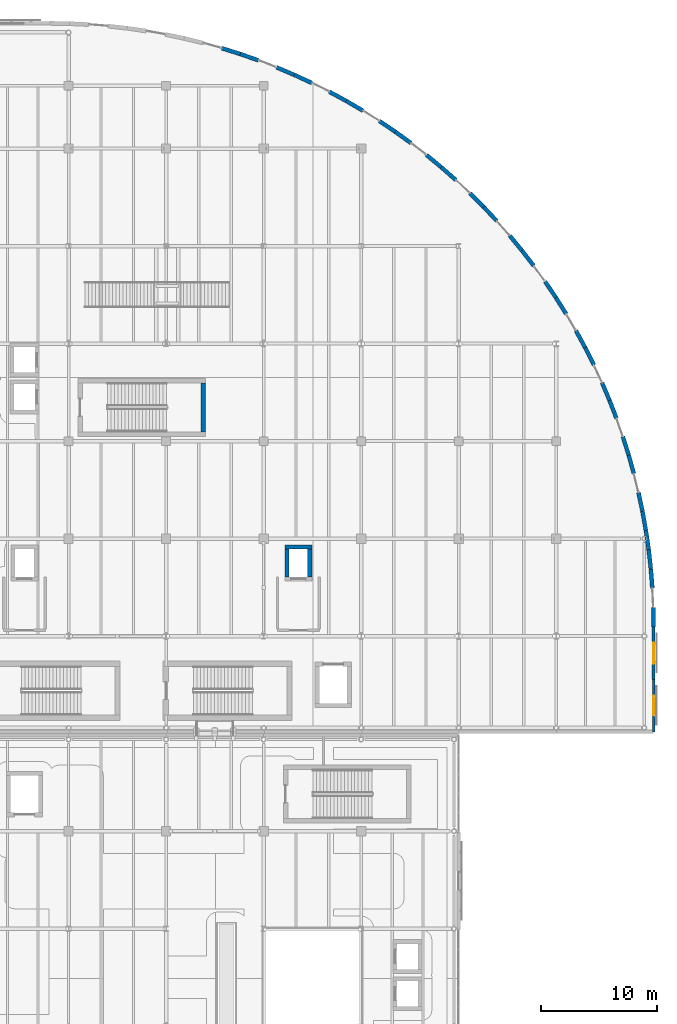
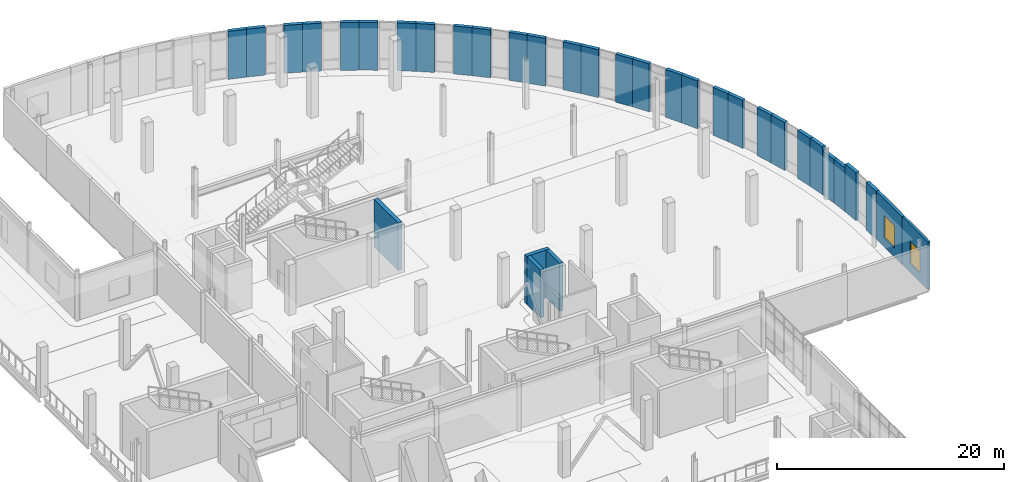
# One storey, part 72 of 110: 34 walls, 2 windows, 2 openings.
"""IFC4 building model written with IfcOpenShell, lengths in metres."""

import ifcopenshell
import ifcopenshell.guid

model = None  # the IFC model being written
_history = None  # IfcOwnerHistory: only IFC2X3 demands one
_inside = {}  # id of a spatial element -> (the spatial element, [elements in it])
_under = {}  # id of a project, library or spatial element -> (it, [spatial elements below it])
_declared = {}  # id of a project -> (the project, [libraries it declares])
_typed = {}  # id of a type object -> (the type object, [elements of that type])
_made_of = {}  # id of a material, layer set ... -> (it, [elements and type objects made of it])


def new_model(schema):
    """Start an empty IFC model of exactly this schema.

    Asked for "IFC4X3", IfcOpenShell would pick the latest addendum, in which some entities
    have other attributes; the version numbers below select the first issue.
    IFC2X3 requires an IfcOwnerHistory on every rooted entity: one is made here for all.
    """
    global model, _history
    if schema == "IFC4X3":
        model = ifcopenshell.file(schema_version=(4, 3, 0, 0))
    else:
        model = ifcopenshell.file(schema=schema)
    _inside.clear()
    _under.clear()
    _declared.clear()
    _typed.clear()
    _made_of.clear()
    _history = None
    if model.schema == "IFC2X3":
        org = make("IfcOrganization", Name="unknown")
        user = make(
            "IfcPersonAndOrganization",
            ThePerson=make("IfcPerson", FamilyName="unknown"),
            TheOrganization=org,
        )
        app = make(
            "IfcApplication",
            ApplicationDeveloper=org,
            Version="unknown",
            ApplicationFullName="unknown",
            ApplicationIdentifier="unknown",
        )
        _history = make(
            "IfcOwnerHistory",
            OwningUser=user,
            OwningApplication=app,
            ChangeAction="ADDED",
            CreationDate=0,
        )
    return model


def make(cls, **values):
    """One entity of the class cls with the attributes given. An attribute that is None is left unset."""
    return model.create_entity(
        cls, **{name: value for name, value in values.items() if value is not None}
    )


def rooted(cls, **values):
    """An entity with a GlobalId (a new one), such as an element, a storey or a relation."""
    return make(cls, GlobalId=ifcopenshell.guid.new(), OwnerHistory=_history, **values)


def si_unit(unit_type, name, prefix=None):
    """IfcSIUnit, for example si_unit("LENGTHUNIT", "METRE", prefix="MILLI")."""
    return make("IfcSIUnit", UnitType=unit_type, Prefix=prefix, Name=name)


def assignment(units):
    """IfcUnitAssignment: the units of a project."""
    return None if units is None else make("IfcUnitAssignment", Units=units)


def point(xyz):
    """IfcCartesianPoint."""
    return None if xyz is None else make("IfcCartesianPoint", Coordinates=xyz)


def direction(xyz):
    """IfcDirection."""
    return None if xyz is None else make("IfcDirection", DirectionRatios=xyz)


def frame(location, z_axis=None, x_axis=None):
    """IfcAxis2Placement3D, a coordinate frame: its origin and axes. An axis left out is left unset."""
    return make(
        "IfcAxis2Placement3D",
        Location=point(location),
        Axis=direction(z_axis),
        RefDirection=direction(x_axis),
    )


def frame_2d(location, x_axis=None):
    """IfcAxis2Placement2D, a coordinate frame in the plane: its origin and x axis."""
    return make(
        "IfcAxis2Placement2D", Location=point(location), RefDirection=direction(x_axis)
    )


def origin():
    """The frame at (0, 0, 0) with its axes left unset."""
    return frame((0.0, 0.0, 0.0))


def place(relative_to, where):
    """IfcLocalPlacement: puts the frame where relative to a parent placement (None: the world)."""
    return make(
        "IfcLocalPlacement", PlacementRelTo=relative_to, RelativePlacement=where
    )


def context(
    kind, dimensions, precision=None, world=None, true_north=None, identifier=None
):
    """IfcGeometricRepresentationContext, for example the 3D "Model" context."""
    return make(
        "IfcGeometricRepresentationContext",
        ContextIdentifier=identifier,
        ContextType=kind,
        CoordinateSpaceDimension=dimensions,
        Precision=precision,
        WorldCoordinateSystem=world,
        TrueNorth=true_north,
    )


def subcontext(parent, identifier, kind, view, scale=None):
    """IfcGeometricRepresentationSubContext, for example "Body" below "Model"."""
    return make(
        "IfcGeometricRepresentationSubContext",
        ContextIdentifier=identifier,
        ContextType=kind,
        ParentContext=parent,
        TargetScale=scale,
        TargetView=view,
    )


def project(units=None, contexts=None):
    """IfcProject with its units and contexts."""
    return rooted(
        "IfcProject",
        Name="project",
        RepresentationContexts=contexts,
        UnitsInContext=assignment(units),
    )


def spatial(cls, under=None, at=None, **own):
    """A site, building, storey or space (cls), placed at a placement, below another one or the project."""
    s = rooted(cls, ObjectPlacement=at, **own)
    if under is not None:
        _under.setdefault(under.id(), (under, []))[1].append(s)
    return s


def profile(cls, at=None, kind="AREA", **sizes):
    """A parametric profile (cls). Its sizes go by their IFC names, for example OverallWidth=200.0."""
    return make(cls, ProfileType=kind, Position=at, **sizes)


def rectangle(**sizes):
    """IfcRectangleProfileDef."""
    return profile("IfcRectangleProfileDef", **sizes)


def extrude(swept, where, along, depth):
    """IfcExtrudedAreaSolid: the profile swept, set in the frame where, extruded along a direction by depth."""
    return make(
        "IfcExtrudedAreaSolid",
        SweptArea=swept,
        Position=where,
        ExtrudedDirection=direction(along),
        Depth=depth,
    )


def shape(context_of_items, identifier, shape_type, items):
    """IfcShapeRepresentation: the items that make up one representation, for example the "Body"."""
    return make(
        "IfcShapeRepresentation",
        ContextOfItems=context_of_items,
        RepresentationIdentifier=identifier,
        RepresentationType=shape_type,
        Items=items,
    )


def material(Name=None, Category=None):
    """IfcMaterial."""
    return make("IfcMaterial", Name=Name, Category=Category)


def layer(
    of_material, thickness, ventilated=None, Name=None, Category=None, Priority=None
):
    """IfcMaterialLayer: one layer of a wall or slab, of a material (None: an air gap)."""
    return make(
        "IfcMaterialLayer",
        Material=of_material,
        LayerThickness=thickness,
        IsVentilated=ventilated,
        Name=Name,
        Category=Category,
        Priority=Priority,
    )


def layer_set(layers, Name=None):
    """IfcMaterialLayerSet."""
    return make("IfcMaterialLayerSet", MaterialLayers=layers, LayerSetName=Name)


def made_of(thing, what):
    """Note that an element or type object is made of a material, layer set ...; save() writes the relation."""
    if what is not None:
        _made_of.setdefault(what.id(), (what, []))[1].append(thing)
    return thing


def type_object(cls, material=None, **own):
    """A type object (cls), such as IfcWallType, which elements share."""
    return made_of(rooted(cls, **own), material)


def element(
    cls,
    number,
    at=None,
    inside=None,
    cuts=None,
    type_object=None,
    material=None,
    context=None,
    identifier="Body",
    shape_type=None,
    held_by="IfcProductDefinitionShape",
    body=None,
    shapes=None,
    **own,
):
    """One element of the class cls, such as IfcWall. Its Tag is "e" and its number.

    at: its placement. inside: the storey or other place that contains it. cuts: it is an
    opening in that element (IfcRelVoidsElement). A single representation is given by context,
    identifier, shape_type and body (its items); several are given by shapes. held_by: the class
    of the entity that holds the representations. save() writes the other relations.
    """
    e = rooted(cls, Tag="e%d" % number, ObjectPlacement=at, **own)
    if body is not None:
        shapes = [shape(context, identifier, shape_type, body)]
    if shapes is not None:
        e.Representation = make(held_by, Representations=shapes)
    if inside is not None:
        _inside.setdefault(inside.id(), (inside, []))[1].append(e)
    if cuts is not None:
        rooted(
            "IfcRelVoidsElement", RelatingBuildingElement=cuts, RelatedOpeningElement=e
        )
    if type_object is not None:
        _typed.setdefault(type_object.id(), (type_object, []))[1].append(e)
    return made_of(e, material)


def fill(opening, filler):
    """IfcRelFillsElement: the door or window that sits in an opening."""
    return rooted(
        "IfcRelFillsElement",
        RelatingOpeningElement=opening,
        RelatedBuildingElement=filler,
    )


def aggregate(whole, parts):
    """IfcRelAggregates: a whole, such as a stair, and the parts it consists of."""
    return rooted("IfcRelAggregates", RelatingObject=whole, RelatedObjects=parts)


def save(model, path):
    """Write the relations noted so far, then the file.

    IfcRelAggregates (storeys below a building ...), IfcRelContainedInSpatialStructure (elements
    in a storey), IfcRelDefinesByType, IfcRelAssociatesMaterial and IfcRelDeclares: one each for
    every whole, place, type object, material and project.
    """
    for whole, parts in _under.values():
        aggregate(whole, parts)
    for where, things in _inside.values():
        rooted(
            "IfcRelContainedInSpatialStructure",
            RelatedElements=things,
            RelatingStructure=where,
        )
    for kind, things in _typed.values():
        rooted("IfcRelDefinesByType", RelatedObjects=things, RelatingType=kind)
    for what, things in _made_of.values():
        rooted("IfcRelAssociatesMaterial", RelatedObjects=things, RelatingMaterial=what)
    for by, libraries in _declared.values():
        rooted("IfcRelDeclares", RelatingContext=by, RelatedDefinitions=libraries)
    model.write(path)


model = new_model("IFC4")

# Units and contexts
model_context = context("Model", 3, precision=1e-05, world=origin(), true_north=direction((0.0, 1.0)))
body_context = subcontext(model_context, "Body", "Model", "MODEL_VIEW")
ifc_project = project(units=[si_unit("LENGTHUNIT", "METRE"), si_unit("AREAUNIT", "SQUARE_METRE"), si_unit("VOLUMEUNIT", "CUBIC_METRE"), si_unit("PLANEANGLEUNIT", "RADIAN"), si_unit("MASSUNIT", "GRAM", prefix="KILO"), si_unit("THERMODYNAMICTEMPERATUREUNIT", "KELVIN")], contexts=[model_context])

# Site, building, storey
site_placement = place(None, origin())
site = spatial("IfcSite", under=ifc_project, at=site_placement, CompositionType="ELEMENT")
building_placement = place(site_placement, origin())
building = spatial("IfcBuilding", under=site, at=building_placement, Name="Lustrewick Department Store", CompositionType="ELEMENT")
storey_placement = place(building_placement, frame((0.0, 0.0, 6.0)))
storey = spatial("IfcBuildingStorey", under=building, at=storey_placement, Name="L02", CompositionType="ELEMENT", Elevation=6.0)

# Wall, opening, window
ifc_material_1 = material(Name="Precast concrete C40", Category="concrete")
ifc_layer_1 = layer(ifc_material_1, 0.239990234375, Name="Precast concrete C40")
ifc_layer_set_1 = layer_set([ifc_layer_1], Name="Precast concrete C40")
wall_type_1 = type_object("IfcWallType", Name="EW01", PredefinedType="STANDARD", material=ifc_layer_set_1)
wall_1_placement = place(storey_placement, frame((168.0, 50.550048828125, 0.0), z_axis=(0.0, 0.0, 1.0), x_axis=(0.0, 1.0, 0.0)))
wall_1 = element("IfcWall", 1, at=wall_1_placement, inside=storey, type_object=wall_type_1, Name="L02 V4 Exterior Wall EW01", PredefinedType="STANDARD", context=body_context, shape_type="SweptSolid", body=[
    extrude(rectangle(XDim=4.52490234375, YDim=0.239990234375, at=frame_2d((2.262451171875, 0.0))), origin(), (0.0, 0.0, 1.0), 5.14501953125),
])
opening_1_placement = place(wall_1_placement, frame((1.422607421875, 0.0, 0.949951171875)))
opening_1 = element("IfcOpeningElement", 2, at=opening_1_placement, cuts=wall_1, Name="Opening WN15", PredefinedType="OPENING", context=body_context, shape_type="SweptSolid", body=[
    extrude(rectangle(XDim=1.679931640625, YDim=2.39990234375, at=frame_2d((0.83984375, 1.199951171875))), frame((0.0, 0.1298828125, 0.0), z_axis=(0.0, -1.0, 0.0), x_axis=(1.0, 0.0, 0.0)), (0.0, 0.0, 1.0), 0.260009765625),
])
ifc_material_2 = material(Name="Thermally broken Low-E triple-glazed window", Category="glass")
window_type_1 = type_object("IfcWindowType", Name="WN15", PartitioningType="DOUBLE_PANEL_VERTICAL", PredefinedType="WINDOW", material=ifc_material_2)
window_1_placement = place(opening_1_placement, origin())
window_1 = element("IfcWindow", 3, at=window_1_placement, inside=storey, type_object=window_type_1, Name="L02 Art Nouveau Window WN15", OverallHeight=2.39990234375, OverallWidth=1.679931640625, PartitioningType="SINGLE_PANEL", PredefinedType="WINDOW", context=body_context, shape_type="SweptSolid", body=[
    extrude(rectangle(XDim=1.679931640625, YDim=2.39990234375, at=frame_2d((0.83984375, 1.199951171875))), frame((0.0, 0.030029296875, 0.0), z_axis=(0.0, -1.0, 0.0), x_axis=(1.0, 0.0, 0.0)), (0.0, 0.0, 1.0), 0.06005859375),
])
fill(opening_1, window_1)

ifc_layer_2 = layer(ifc_material_1, 0.260009765625, Name="Precast concrete C40")
ifc_layer_set_2 = layer_set([ifc_layer_2], Name="Precast concrete C40")
wall_type_2 = type_object("IfcWallType", Name="EW02", PredefinedType="STANDARD", material=ifc_layer_set_2)
wall_2_placement = place(storey_placement, frame((168.0, 55.074951171875, 0.0), z_axis=(0.0, 0.0, 1.0), x_axis=(0.0, 1.0, 0.0)))
wall_2 = element("IfcWall", 4, at=wall_2_placement, inside=storey, type_object=wall_type_2, Name="L02 V4 Exterior Wall EW02", PredefinedType="STANDARD", context=body_context, shape_type="SweptSolid", body=[
    extrude(rectangle(XDim=4.525146484375, YDim=0.260009765625, at=frame_2d((2.2626953125, 0.0))), origin(), (0.0, 0.0, 1.0), 5.14501953125),
])
opening_2_placement = place(wall_2_placement, frame((1.362548828125, 0.0, 0.949951171875)))
opening_2 = element("IfcOpeningElement", 5, at=opening_2_placement, cuts=wall_2, Name="Opening WN16", PredefinedType="OPENING", context=body_context, shape_type="SweptSolid", body=[
    extrude(rectangle(XDim=1.800048828125, YDim=2.39990234375, at=frame_2d((0.89990234375, 1.199951171875))), frame((0.0, 0.14013671875, 0.0), z_axis=(0.0, -1.0, 0.0), x_axis=(1.0, 0.0, 0.0)), (0.0, 0.0, 1.0), 0.280029296875),
])
window_type_2 = type_object("IfcWindowType", Name="WN16", PartitioningType="DOUBLE_PANEL_VERTICAL", PredefinedType="WINDOW", material=ifc_material_2)
window_2_placement = place(opening_2_placement, origin())
window_2 = element("IfcWindow", 6, at=window_2_placement, inside=storey, type_object=window_type_2, Name="L02 Art Nouveau Window WN16", OverallHeight=2.39990234375, OverallWidth=1.800048828125, PartitioningType="SINGLE_PANEL", PredefinedType="WINDOW", context=body_context, shape_type="SweptSolid", body=[
    extrude(rectangle(XDim=1.800048828125, YDim=2.39990234375, at=frame_2d((0.89990234375, 1.199951171875))), frame((0.0, 0.030029296875, 0.0), z_axis=(0.0, -1.0, 0.0), x_axis=(1.0, 0.0, 0.0)), (0.0, 0.0, 1.0), 0.06005859375),
])
fill(opening_2, window_2)

# Walls
ifc_layer_3 = layer(ifc_material_1, 0.35009765625, Name="Precast concrete C40")
ifc_layer_set_3 = layer_set([ifc_layer_3], Name="Precast concrete C40")
wall_type_3 = type_object("IfcWallType", Name="EW06", PredefinedType="STANDARD", material=ifc_layer_set_3)
wall_3_placement = place(storey_placement, frame((168.0, 59.60009765625, 0.0), z_axis=(0.0, 0.0, 1.0), x_axis=(-0.015966320801, 0.999872530176, 0.0)))
element("IfcWall", 7, at=wall_3_placement, inside=storey, type_object=wall_type_3, Name="L02 V4 Exterior Wall EW06", PredefinedType="STANDARD", context=body_context, shape_type="SweptSolid", body=[
    extrude(rectangle(XDim=1.666748046875, YDim=0.35009765625, at=frame_2d((0.83349609375, 0.0))), origin(), (0.0, 0.0, 1.0), 5.14501953125),
])
wall_4_placement = place(storey_placement, frame((167.893310546875, 62.931640625, 0.0), z_axis=(0.0, 0.0, 1.0), x_axis=(-0.080111941316, 0.996785873123, 0.0)))
element("IfcWall", 8, at=wall_4_placement, inside=storey, type_object=wall_type_3, Name="L02 V4 Exterior Wall EW06", PredefinedType="STANDARD", context=body_context, shape_type="SweptSolid", body=[
    extrude(rectangle(XDim=1.6669921875, YDim=0.35009765625, at=frame_2d((0.83349609375, 0.0))), origin(), (0.0, 0.0, 1.0), 5.14501953125),
])
wall_5_placement = place(storey_placement, frame((167.759765625, 64.59326171875, 0.0), z_axis=(0.0, 0.0, 1.0), x_axis=(-0.112055133137, 0.993701991111, 0.0)))
element("IfcWall", 9, at=wall_5_placement, inside=storey, type_object=wall_type_3, Name="L02 V4 Exterior Wall EW06", PredefinedType="STANDARD", context=body_context, shape_type="SweptSolid", body=[
    extrude(rectangle(XDim=1.666748046875, YDim=0.35009765625, at=frame_2d((0.83349609375, 0.0))), origin(), (0.0, 0.0, 1.0), 4.697021484375),
])
wall_6_placement = place(storey_placement, frame((167.572998046875, 66.24951171875, 0.0), z_axis=(0.0, 0.0, 1.0), x_axis=(-0.143676460631, 0.989624714051, 0.0)))
element("IfcWall", 10, at=wall_6_placement, inside=storey, type_object=wall_type_3, Name="L02 V4 Exterior Wall EW06", PredefinedType="STANDARD", context=body_context, shape_type="SweptSolid", body=[
    extrude(rectangle(XDim=1.6669921875, YDim=0.35009765625, at=frame_2d((0.83349609375, 0.0))), origin(), (0.0, 0.0, 1.0), 4.697021484375),
])
for number, where, z_axis, x_axis, name in (
    (11, (167.33349609375, 67.899169921875, 0.0), (0.0, 0.0, 1.0), (-0.175456075248, 0.984487260282, 0.0), "L02 V4 Exterior Wall EW06"),
    (12, (167.041015625, 69.540283203125, 0.0), (0.0, 0.0, 1.0), (-0.206807613682, 0.978381628468, 0.0), "L02 V4 Exterior Wall EW06"),
    (13, (166.29931640625, 72.7900390625, 0.0), (0.0, 0.0, 1.0), (-0.269184447228, 0.96308864253, 0.0), "L02 V4 Exterior Wall EW06"),
):
    element("IfcWall", number, at=place(storey_placement, frame(where, z_axis=z_axis, x_axis=x_axis)), inside=storey, type_object=wall_type_3, Name=name, PredefinedType="STANDARD", context=body_context, shape_type="SweptSolid", body=[
        extrude(rectangle(XDim=1.6669921875, YDim=0.35009765625, at=frame_2d((0.83349609375, 0.0))), origin(), (0.0, 0.0, 1.0), 5.14501953125),
    ])
wall_7_placement = place(storey_placement, frame((165.8505859375, 74.3955078125, 0.0), z_axis=(0.0, 0.0, 1.0), x_axis=(-0.299834214299, 0.953991322778, 0.0)))
element("IfcWall", 14, at=wall_7_placement, inside=storey, type_object=wall_type_3, Name="L02 V4 Exterior Wall EW06", PredefinedType="STANDARD", context=body_context, shape_type="SweptSolid", body=[
    extrude(rectangle(XDim=1.666748046875, YDim=0.35009765625, at=frame_2d((0.83349609375, 0.0))), origin(), (0.0, 0.0, 1.0), 5.14501953125),
])
wall_8_placement = place(storey_placement, frame((164.80029296875, 77.55908203125, 0.0), z_axis=(0.0, 0.0, 1.0), x_axis=(-0.360303696609, 0.932835058416, 0.0)))
element("IfcWall", 15, at=wall_8_placement, inside=storey, type_object=wall_type_3, Name="L02 V4 Exterior Wall EW06", PredefinedType="STANDARD", context=body_context, shape_type="SweptSolid", body=[
    extrude(rectangle(XDim=1.6669921875, YDim=0.35009765625, at=frame_2d((0.83349609375, 0.0))), origin(), (0.0, 0.0, 1.0), 5.14501953125),
])
for number, where, z_axis, x_axis, name in (
    (16, (164.19970703125, 79.114013671875, 0.0), (0.0, 0.0, 1.0), (-0.39007957399, 0.92078114987, 0.0), "L02 V4 Exterior Wall EW06"),
    (17, (162.850341796875, 82.162109375, 0.0), (0.0, 0.0, 1.0), (-0.448209338965, 0.893928626046, 0.0), "L02 V4 Exterior Wall EW06"),
    (18, (162.103271484375, 83.652099609375, 0.0), (0.0, 0.0, 1.0), (-0.476787978947, 0.879018329235, 0.0), "L02 V4 Exterior Wall EW06"),
    (19, (160.46728515625, 86.556396484375, 0.0), (0.0, 0.0, 1.0), (-0.531985550055, 0.846753431958, 0.0), "L02 V4 Exterior Wall EW06"),
):
    element("IfcWall", number, at=place(storey_placement, frame(where, z_axis=z_axis, x_axis=x_axis)), inside=storey, type_object=wall_type_3, Name=name, PredefinedType="STANDARD", context=body_context, shape_type="SweptSolid", body=[
        extrude(rectangle(XDim=1.666748046875, YDim=0.35009765625, at=frame_2d((0.83349609375, 0.0))), origin(), (0.0, 0.0, 1.0), 5.14501953125),
    ])
for number, where, z_axis, x_axis, name in (
    (20, (159.58056640625, 87.9677734375, 0.0), (0.0, 0.0, 1.0), (-0.558884114605, 0.829245769626, 0.0), "L02 V4 Exterior Wall EW06"),
    (21, (157.673583984375, 90.70166015625, 0.0), (0.0, 0.0, 1.0), (-0.610863788379, 0.791735708458, 0.0), "L02 V4 Exterior Wall EW06"),
    (22, (156.6552734375, 92.021484375, 0.0), (0.0, 0.0, 1.0), (-0.63595364507, 0.771727258377, 0.0), "L02 V4 Exterior Wall EW06"),
):
    element("IfcWall", number, at=place(storey_placement, frame(where, z_axis=z_axis, x_axis=x_axis)), inside=storey, type_object=wall_type_3, Name=name, PredefinedType="STANDARD", context=body_context, shape_type="SweptSolid", body=[
        extrude(rectangle(XDim=1.6669921875, YDim=0.35009765625, at=frame_2d((0.83349609375, 0.0))), origin(), (0.0, 0.0, 1.0), 5.14501953125),
    ])
wall_9_placement = place(storey_placement, frame((154.494384765625, 94.5595703125, 0.0), z_axis=(0.0, 0.0, 1.0), x_axis=(-0.684038569811, 0.72944584104, 0.0)))
element("IfcWall", 23, at=wall_9_placement, inside=storey, type_object=wall_type_3, Name="L02 V4 Exterior Wall EW06", PredefinedType="STANDARD", context=body_context, shape_type="SweptSolid", body=[
    extrude(rectangle(XDim=1.666748046875, YDim=0.35009765625, at=frame_2d((0.83349609375, 0.0))), origin(), (0.0, 0.0, 1.0), 5.14501953125),
])
for number, where, z_axis, x_axis, name in (
    (24, (153.354248046875, 95.775390625, 0.0), (0.0, 0.0, 1.0), (-0.707106781187, 0.707106781187, 0.0), "L02 V4 Exterior Wall EW06"),
    (25, (150.959716796875, 98.094482421875, 0.0), (0.0, 0.0, 1.0), (-0.750913960524, 0.660400048372, 0.0), "L02 V4 Exterior Wall EW06"),
    (26, (149.7080078125, 99.1953125, 0.0), (0.0, 0.0, 1.0), (-0.771858358272, 0.63579452244, 0.0), "L02 V4 Exterior Wall EW06"),
    (27, (147.101806640625, 101.2734375, 0.0), (0.0, 0.0, 1.0), (-0.810883849923, 0.585207127378, 0.0), "L02 V4 Exterior Wall EW06"),
):
    element("IfcWall", number, at=place(storey_placement, frame(where, z_axis=z_axis, x_axis=x_axis)), inside=storey, type_object=wall_type_3, Name=name, PredefinedType="STANDARD", context=body_context, shape_type="SweptSolid", body=[
        extrude(rectangle(XDim=1.6669921875, YDim=0.35009765625, at=frame_2d((0.83349609375, 0.0))), origin(), (0.0, 0.0, 1.0), 5.14501953125),
    ])
for number, where, z_axis, x_axis, name in (
    (28, (145.75, 102.2490234375, 0.0), (0.0, 0.0, 1.0), (-0.82920001489, 0.558951997319, 0.0), "L02 V4 Exterior Wall EW06"),
    (29, (142.956298828125, 104.0673828125, 0.0), (0.0, 0.0, 1.0), (-0.863279121384, 0.504726815794, 0.0), "L02 V4 Exterior Wall EW06"),
    (30, (141.517333984375, 104.90869140625, 0.0), (0.0, 0.0, 1.0), (-0.879112994826, 0.476613409724, 0.0), "L02 V4 Exterior Wall EW06"),
):
    element("IfcWall", number, at=place(storey_placement, frame(where, z_axis=z_axis, x_axis=x_axis)), inside=storey, type_object=wall_type_3, Name=name, PredefinedType="STANDARD", context=body_context, shape_type="SweptSolid", body=[
        extrude(rectangle(XDim=1.666748046875, YDim=0.35009765625, at=frame_2d((0.83349609375, 0.0))), origin(), (0.0, 0.0, 1.0), 5.14501953125),
    ])
wall_10_placement = place(storey_placement, frame((138.56201171875, 106.450439453125, 0.0), z_axis=(0.0, 0.0, 1.0), x_axis=(-0.907852195258, 0.419290342801, 0.0)))
element("IfcWall", 31, at=wall_10_placement, inside=storey, type_object=wall_type_3, Name="L02 V4 Exterior Wall EW06", PredefinedType="STANDARD", context=body_context, shape_type="SweptSolid", body=[
    extrude(rectangle(XDim=1.6669921875, YDim=0.35009765625, at=frame_2d((0.83349609375, 0.0))), origin(), (0.0, 0.0, 1.0), 5.14501953125),
])
wall_11_placement = place(storey_placement, frame((137.048583984375, 107.1494140625, 0.0), z_axis=(0.0, 0.0, 1.0), x_axis=(-0.920728531671, 0.390203755706, 0.0)))
element("IfcWall", 32, at=wall_11_placement, inside=storey, type_object=wall_type_3, Name="L02 V4 Exterior Wall EW06", PredefinedType="STANDARD", context=body_context, shape_type="SweptSolid", body=[
    extrude(rectangle(XDim=1.666748046875, YDim=0.35009765625, at=frame_2d((0.83349609375, 0.0))), origin(), (0.0, 0.0, 1.0), 5.14501953125),
])
wall_12_placement = place(storey_placement, frame((133.958984375, 108.400390625, 0.0), z_axis=(0.0, 0.0, 1.0), x_axis=(-0.943892599877, 0.330252569856, 0.0)))
element("IfcWall", 33, at=wall_12_placement, inside=storey, type_object=wall_type_3, Name="L02 V4 Exterior Wall EW06", PredefinedType="STANDARD", context=body_context, shape_type="SweptSolid", body=[
    extrude(rectangle(XDim=1.6669921875, YDim=0.35009765625, at=frame_2d((0.83349609375, 0.0))), origin(), (0.0, 0.0, 1.0), 5.14501953125),
])
wall_13_placement = place(storey_placement, frame((132.385498046875, 108.950927734375, 0.0), z_axis=(0.0, 0.0, 1.0), x_axis=(-0.953991322778, 0.299834214299, 0.0)))
element("IfcWall", 34, at=wall_13_placement, inside=storey, type_object=wall_type_3, Name="L02 V4 Exterior Wall EW06", PredefinedType="STANDARD", context=body_context, shape_type="SweptSolid", body=[
    extrude(rectangle(XDim=1.666748046875, YDim=0.35009765625, at=frame_2d((0.83349609375, 0.0))), origin(), (0.0, 0.0, 1.0), 5.14501953125),
])
ifc_material_3 = material(Name="Concrete C50", Category="concrete")
ifc_layer_4 = layer(ifc_material_3, 0.39990234375, Name="Concrete C50")
ifc_layer_set_4 = layer_set([ifc_layer_4], Name="Concrete C50")
wall_type_4 = type_object("IfcWallType", Name="SW02", PredefinedType="SHEAR", material=ifc_layer_set_4)
wall_14_placement = place(storey_placement, frame((129.199951171875, 76.39990234375, 0.0), z_axis=(0.0, 0.0, 1.0), x_axis=(0.0, 1.0, 0.0)))
element("IfcWall", 35, at=wall_14_placement, inside=storey, type_object=wall_type_4, Name="L02 Stair Core ST10 Shear Wall E", PredefinedType="SHEAR", context=body_context, shape_type="SweptSolid", body=[
    extrude(rectangle(XDim=4.2001953125, YDim=0.39990234375, at=frame_2d((2.10009765625, 0.0))), origin(), (0.0, 0.0, 1.0), 5.14501953125),
])
ifc_material_4 = material(Name="Concrete C40", Category="concrete")
ifc_layer_5 = layer(ifc_material_4, 0.360107421875, Name="Concrete C40")
ifc_layer_set_5 = layer_set([ifc_layer_5], Name="Concrete C40")
wall_type_5 = type_object("IfcWallType", Name="SW04", PredefinedType="SHEAR", material=ifc_layer_set_5)
wall_15_placement = place(storey_placement, frame((138.3798828125, 63.89990234375, 0.0), z_axis=(0.0, 0.0, 1.0), x_axis=(0.0, 1.0, 0.0)))
element("IfcWall", 36, at=wall_15_placement, inside=storey, type_object=wall_type_5, Name="L02 Lift FFL-03 Shaft Wall +X", PredefinedType="SHEAR", context=body_context, shape_type="SweptSolid", body=[
    extrude(rectangle(XDim=2.400146484375, YDim=0.360107421875, at=frame_2d((1.2001953125, 0.0))), origin(), (0.0, 0.0, 1.0), 5.14501953125),
])
wall_16_placement = place(storey_placement, frame((138.56005859375, 66.47998046875, 0.0), z_axis=(0.0, 0.0, 1.0), x_axis=(-1.0, 0.0, 0.0)))
element("IfcWall", 37, at=wall_16_placement, inside=storey, type_object=wall_type_5, Name="L02 Lift FFL-03 Shaft Wall +Y", PredefinedType="SHEAR", context=body_context, shape_type="SweptSolid", body=[
    extrude(rectangle(XDim=2.320068359375, YDim=0.360107421875, at=frame_2d((1.16015625, 0.0))), origin(), (0.0, 0.0, 1.0), 5.14501953125),
])
wall_17_placement = place(storey_placement, frame((136.419921875, 66.300048828125, 0.0), z_axis=(0.0, 0.0, 1.0), x_axis=(0.0, -1.0, 0.0)))
element("IfcWall", 38, at=wall_17_placement, inside=storey, type_object=wall_type_5, Name="L02 Lift FFL-03 Shaft Wall -X", PredefinedType="SHEAR", context=body_context, shape_type="SweptSolid", body=[
    extrude(rectangle(XDim=2.400146484375, YDim=0.360107421875, at=frame_2d((1.2001953125, 0.0))), origin(), (0.0, 0.0, 1.0), 5.14501953125),
])

save(model, "model.ifc")
